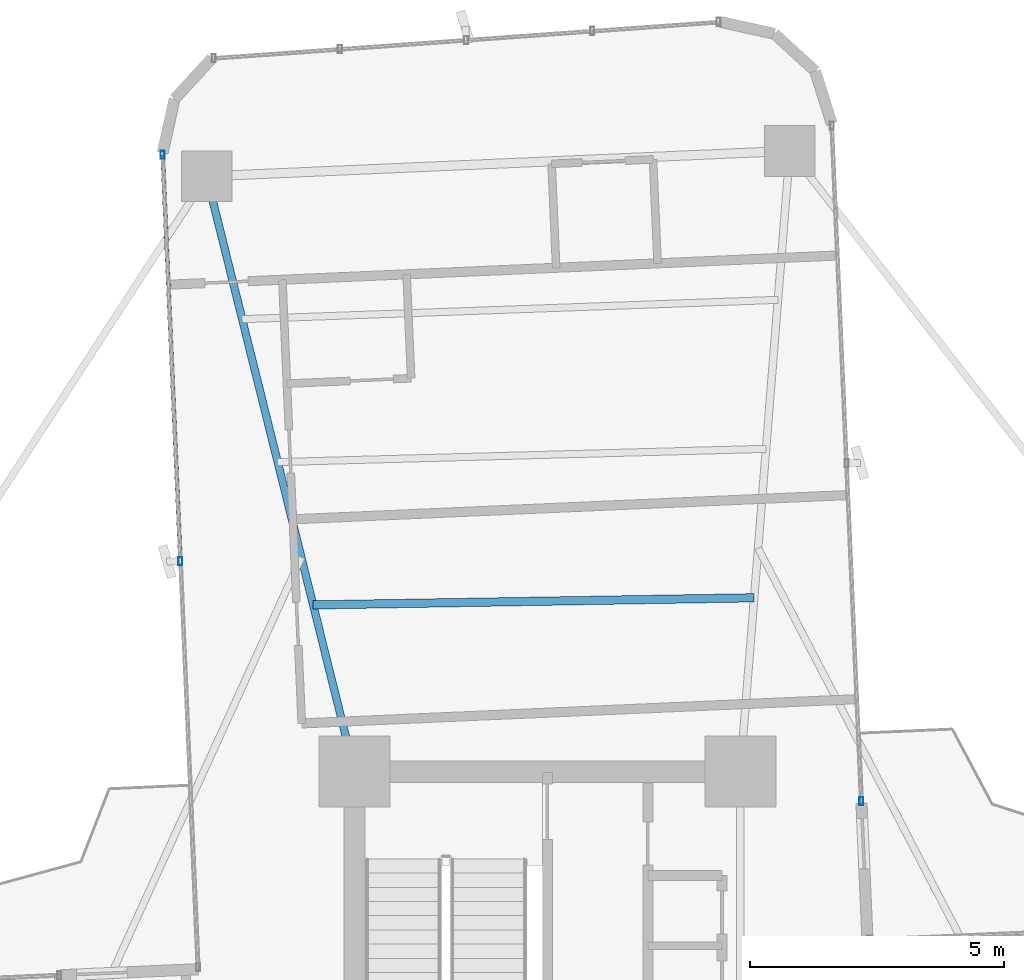
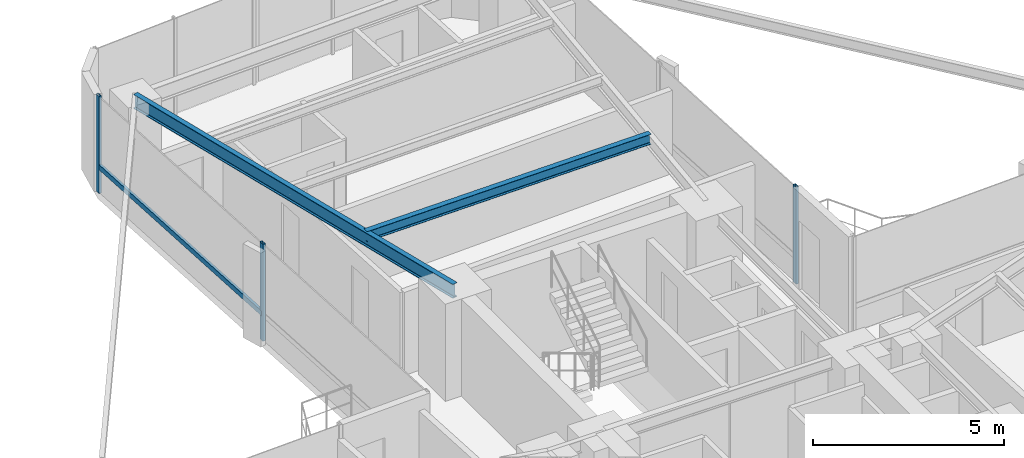
# One storey, part 17 of 26: 4 members, 2 beams, 2 elements without a shape of their own.
"""IFC4 building model written with IfcOpenShell, lengths in metres."""

from ifc_helpers import new_model, si_unit, direction, frame, origin, origin_2d, place, context, subcontext, project, spatial, hollow_rectangle, i_section, extrude, source, transform, mapped, material, material_profile, profile_set, type_object, element, aggregate, save


model = new_model("IFC4")

# Units and contexts
model_context = context("Model", 3, precision=1e-05, world=origin(), true_north=direction((0.0, 1.0)))
body_context = subcontext(model_context, "Body", "Model", "MODEL_VIEW")
ifc_project = project(units=[si_unit("LENGTHUNIT", "METRE"), si_unit("AREAUNIT", "SQUARE_METRE"), si_unit("VOLUMEUNIT", "CUBIC_METRE"), si_unit("PLANEANGLEUNIT", "RADIAN"), si_unit("MASSUNIT", "GRAM", prefix="KILO")], contexts=[model_context])

# Site, building, storey
site_placement = place(None, origin())
site = spatial("IfcSite", under=ifc_project, at=site_placement, CompositionType="ELEMENT")
building_placement = place(site_placement, origin())
building = spatial("IfcBuilding", under=site, at=building_placement, Name="Sahyath Konkavel Grand Hotel", CompositionType="ELEMENT")
storey_placement = place(building_placement, frame((0.0, 0.0, 93.550048828125)))
storey = spatial("IfcBuildingStorey", under=building, at=storey_placement, Name="L25", CompositionType="ELEMENT", Elevation=93.550048828125)

# Beams
ifc_material_1 = material(Name="Steel E350", Category="steel")
ifc_material_profile_1 = material_profile(ifc_material_1, i_section(OverallWidth=0.14990234375, OverallDepth=0.449951171875, WebThickness=0.009521484375, FlangeThickness=0.017333984375, FilletRadius=0.014892578125, at=origin_2d()), Name="ISMB 450")
ifc_profile_set_1 = profile_set([ifc_material_profile_1], Name="Steel E350")
beam_type_1 = type_object("IfcBeamType", Name="BM-ISMB450", PredefinedType="BEAM", material=ifc_profile_set_1)
shared_shape_1 = source(origin(), body_context, "Body", "SweptSolid", [
    extrude(i_section(OverallWidth=0.14990234375, OverallDepth=0.449951171875, WebThickness=0.009521484375, FlangeThickness=0.017333984375, FilletRadius=0.014892578125, at=origin_2d()), origin(), (0.0, 0.0, 1.0), 12.084228515625),
])
beam_1_placement = place(storey_placement, frame((-3.800048828125, 10.199951171875, 2.885009765625), z_axis=(-0.241042688481, 0.970514514229, 0.0), x_axis=(-0.970514514229, -0.241042688481, 0.0)))
element("IfcBeam", 1, at=beam_1_placement, inside=storey, type_object=beam_type_1, Name="L25 Cruciform Radial Girder NB", PredefinedType="BEAM", context=body_context, shape_type="MappedRepresentation", body=[
    mapped(shared_shape_1, transform((0.0, 0.0, 0.0), scale=1.0)),
])
ifc_material_profile_2 = material_profile(ifc_material_1, i_section(OverallWidth=0.1650390625, OverallDepth=0.324951171875, WebThickness=0.007080078125, FlangeThickness=0.009765625, FilletRadius=0.014892578125, at=origin_2d()), Name="ISLB 325")
ifc_profile_set_2 = profile_set([ifc_material_profile_2], Name="Steel E350")
beam_type_2 = type_object("IfcBeamType", Name="BM-ISLB325", PredefinedType="BEAM", material=ifc_profile_set_2)
shared_shape_2 = source(origin(), body_context, "Body", "SweptSolid", [
    extrude(i_section(OverallWidth=0.1650390625, OverallDepth=0.324951171875, WebThickness=0.007080078125, FlangeThickness=0.009765625, FilletRadius=0.014892578125, at=origin_2d()), origin(), (0.0, 0.0, 1.0), 8.68994140625),
])
beam_2_placement = place(storey_placement, frame((4.0732421875, 13.624267578125, 2.947509765625), z_axis=(-0.999869506431, -0.016154569283, 0.0), x_axis=(0.016154569283, -0.999869506431, 0.0)))
element("IfcBeam", 2, at=beam_2_placement, inside=storey, type_object=beam_type_2, Name="L25 Secondary Floor Beam N-1", PredefinedType="BEAM", context=body_context, shape_type="MappedRepresentation", body=[
    mapped(shared_shape_2, transform((0.0, 0.0, 0.0), scale=1.0)),
])

# Curtain wall, member
ifc_material_2 = material(Name="Anodised Bronze Aluminium & Low-E Glazing", Category="aluminium")
curtain_wall_type = type_object("IfcCurtainWallType", Name="CW-ZONE2", PredefinedType="NOTDEFINED", material=ifc_material_2)
curtain_wall_1_placement = place(storey_placement, origin())
curtain_wall_1 = element("IfcCurtainWall", 3, at=curtain_wall_1_placement, inside=storey, type_object=curtain_wall_type, Name="L25 Unitised Curtain Wall F8", PredefinedType="NOTDEFINED")
ifc_material_3 = material(Name="Anodised Bronze Aluminium", Category="aluminium")
ifc_material_profile_3 = material_profile(ifc_material_3, hollow_rectangle(XDim=0.080078125, YDim=0.159912109375, WallThickness=0.006103515625, at=origin_2d()), Name="RHS 160x80x6")
ifc_profile_set_3 = profile_set([ifc_material_profile_3], Name="Anodised Bronze Aluminium")
member_type_1 = type_object("IfcMemberType", Name="CW-MUL-160", PredefinedType="MULLION", material=ifc_profile_set_3)
shared_shape_3 = source(origin(), body_context, "Body", "SweptSolid", [
    extrude(hollow_rectangle(XDim=0.080078125, YDim=0.159912109375, WallThickness=0.006103515625, at=origin_2d()), origin(), (0.0, 0.0, 1.0), 3.10986328125),
])
member_1_placement = place(storey_placement, frame((6.186279296875, 9.618896484375, 0.0), z_axis=(0.0, 0.0, 1.0), x_axis=(1.0, 0.0, 0.0)))
member_1 = element("IfcMember", 4, at=member_1_placement, type_object=member_type_1, Name="L25 Curtain Wall Mullion F8-0", PredefinedType="MULLION", context=body_context, shape_type="MappedRepresentation", body=[
    mapped(shared_shape_3, transform((0.0, 0.0, 0.0), scale=1.0)),
])
aggregate(curtain_wall_1, [member_1])

# Curtain wall, members
curtain_wall_2_placement = place(storey_placement, origin())
curtain_wall_2 = element("IfcCurtainWall", 5, at=curtain_wall_2_placement, inside=storey, type_object=curtain_wall_type, Name="L25 Unitised Curtain Wall F15", PredefinedType="NOTDEFINED")
member_2_placement = place(storey_placement, frame((-7.582275390625, 22.3505859375, 0.0), z_axis=(0.0, 0.0, 1.0), x_axis=(1.0, 0.0, 0.0)))
member_2 = element("IfcMember", 6, at=member_2_placement, type_object=member_type_1, Name="L25 Curtain Wall Mullion F15-0", PredefinedType="MULLION", context=body_context, shape_type="MappedRepresentation", body=[
    mapped(shared_shape_3, transform((0.0, 0.0, 0.0), scale=1.0)),
])
member_3_placement = place(storey_placement, frame((-7.232666015625, 14.34814453125, 0.0), z_axis=(0.0, 0.0, 1.0), x_axis=(1.0, 0.0, 0.0)))
member_3 = element("IfcMember", 7, at=member_3_placement, type_object=member_type_1, Name="L25 Curtain Wall Mullion F15-1", PredefinedType="MULLION", context=body_context, shape_type="MappedRepresentation", body=[
    mapped(shared_shape_3, transform((0.0, 0.0, 0.0), scale=1.0)),
])
ifc_material_profile_4 = material_profile(ifc_material_3, hollow_rectangle(XDim=0.080078125, YDim=0.159912109375, WallThickness=0.006103515625, at=origin_2d()), Name="RHS 160x80x6")
ifc_profile_set_4 = profile_set([ifc_material_profile_4], Name="Anodised Bronze Aluminium")
member_type_2 = type_object("IfcMemberType", Name="CW-TRN-160", PredefinedType="USERDEFINED", material=ifc_profile_set_4)
shared_shape_4 = source(origin(), body_context, "Body", "SweptSolid", [
    extrude(hollow_rectangle(XDim=0.080078125, YDim=0.159912109375, WallThickness=0.006103515625, at=origin_2d()), origin(), (0.0, 0.0, 1.0), 8.010009765625),
])
member_4_placement = place(storey_placement, frame((-7.582275390625, 22.3505859375, 0.849853515625), z_axis=(0.043646207089, -0.999047050247, 0.0), x_axis=(0.999047050247, 0.043646207089, 0.0)))
member_4 = element("IfcMember", 8, at=member_4_placement, type_object=member_type_2, Name="L25 Curtain Wall Transom F15-0-spandrel", ObjectType="TRANSOM", PredefinedType="USERDEFINED", context=body_context, shape_type="MappedRepresentation", body=[
    mapped(shared_shape_4, transform((0.0, 0.0, 0.0), scale=1.0)),
])
aggregate(curtain_wall_2, [member_2, member_3, member_4])

save(model, "model.ifc")
